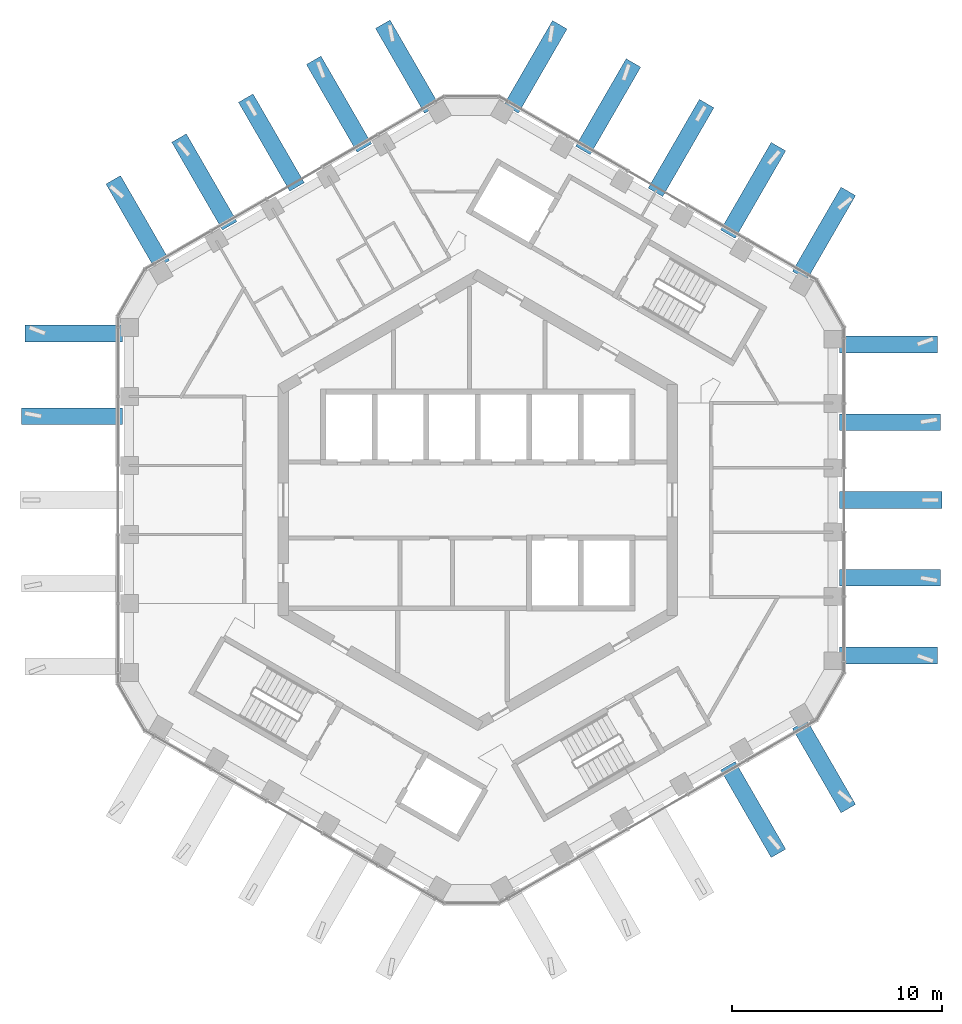
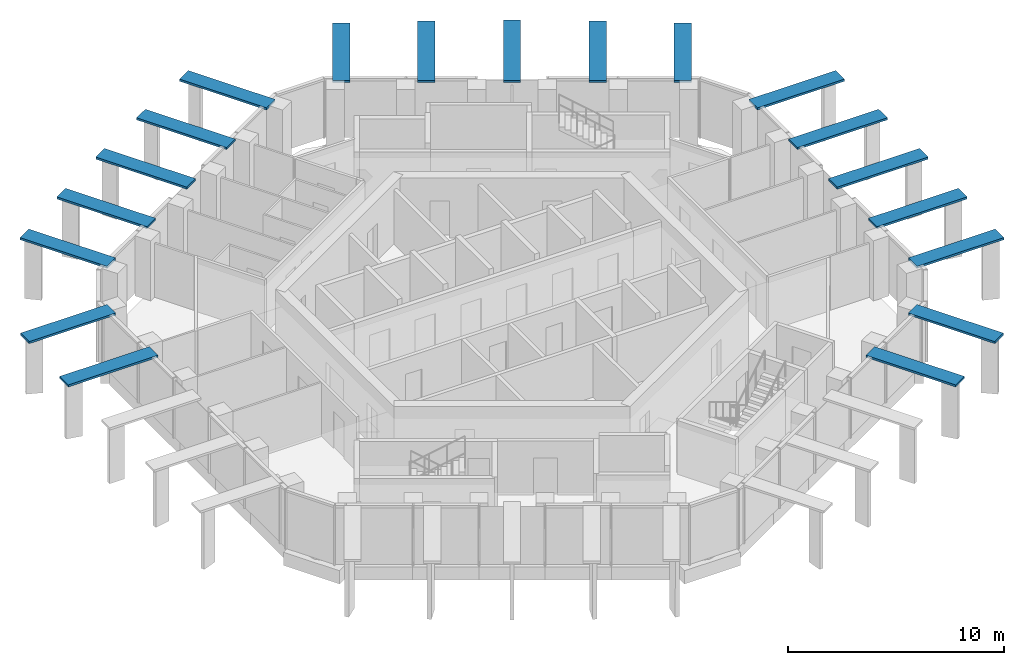
# One storey, part 14 of 19: 19 discrete accessories.
"""IFC4 building model written with IfcOpenShell, lengths in metres."""

from ifc_helpers import new_model, si_unit, direction, frame, origin, origin_2d, place, context, subcontext, project, spatial, rectangle, extrude, material, layer, layer_set, type_object, element, save


model = new_model("IFC4")

# Units and contexts
model_context = context("Model", 3, precision=1e-05, world=origin(), true_north=direction((0.0, 1.0)))
body_context = subcontext(model_context, "Body", "Model", "MODEL_VIEW")
ifc_project = project(units=[si_unit("LENGTHUNIT", "METRE"), si_unit("AREAUNIT", "SQUARE_METRE"), si_unit("VOLUMEUNIT", "CUBIC_METRE"), si_unit("PLANEANGLEUNIT", "RADIAN"), si_unit("MASSUNIT", "GRAM", prefix="KILO")], contexts=[model_context])

# Site, building, storey
site_placement = place(None, origin())
site = spatial("IfcSite", under=ifc_project, at=site_placement, CompositionType="ELEMENT")
building_placement = place(site_placement, origin())
building = spatial("IfcBuilding", under=site, at=building_placement, Name="Ayvan Gate Tower", CompositionType="ELEMENT")
storey_placement = place(building_placement, frame((0.0, 0.0, 235.89990234375)))
storey = spatial("IfcBuildingStorey", under=building, at=storey_placement, Name="L63", CompositionType="ELEMENT", Elevation=235.89990234375)

# Discrete accessories
ifc_material = material(Name="Stainless steel 316", Category="steel")
ifc_layer = layer(ifc_material, 0.1201171875)
ifc_layer_set = layer_set([ifc_layer], Name="Stainless steel 316")
discrete_accessory_type = type_object("IfcDiscreteAccessoryType", Name="Fin carrier bracket", PredefinedType="BRACKET", material=ifc_layer_set)
discrete_accessory_1_placement = place(storey_placement, frame((-19.295166015625, 3.979248046875, 3.280029296875), z_axis=(0.0, 0.0, 1.0), x_axis=(0.0, -1.0, 0.0)))
element("IfcDiscreteAccessory", 1, at=discrete_accessory_1_placement, inside=storey, type_object=discrete_accessory_type, Name="Fin carrier 176", PredefinedType="BRACKET", context=body_context, shape_type="SweptSolid", body=[
    extrude(rectangle(XDim=0.800048828125, YDim=4.80859375, at=origin_2d()), origin(), (0.0, 0.0, 1.0), 0.1201171875),
])
discrete_accessory_2_placement = place(storey_placement, frame((-19.20458984375, 7.92041015625, 3.280029296875), z_axis=(0.0, 0.0, 1.0), x_axis=(0.0, -1.0, 0.0)))
element("IfcDiscreteAccessory", 2, at=discrete_accessory_2_placement, inside=storey, type_object=discrete_accessory_type, Name="Fin carrier 184", PredefinedType="BRACKET", context=body_context, shape_type="SweptSolid", body=[
    extrude(rectangle(XDim=0.800048828125, YDim=4.627685546875, at=origin_2d()), origin(), (0.0, 0.0, 1.0), 0.1201171875),
])
discrete_accessory_3_placement = place(storey_placement, frame((-16.16748046875, 13.2041015625, 3.280029296875), z_axis=(0.0, 0.0, 1.0), x_axis=(-0.866025403784, -0.5, 0.0)))
element("IfcDiscreteAccessory", 3, at=discrete_accessory_3_placement, inside=storey, type_object=discrete_accessory_type, Name="Fin carrier 238", PredefinedType="BRACKET", context=body_context, shape_type="SweptSolid", body=[
    extrude(rectangle(XDim=0.800048828125, YDim=4.662841796875, at=origin_2d()), origin(), (0.0, 0.0, 1.0), 0.1201171875),
])
discrete_accessory_4_placement = place(storey_placement, frame((-12.99951171875, 15.12353515625, 3.280029296875), z_axis=(0.0, 0.0, 1.0), x_axis=(-0.866025403784, -0.5, 0.0)))
element("IfcDiscreteAccessory", 4, at=discrete_accessory_4_placement, inside=storey, type_object=discrete_accessory_type, Name="Fin carrier 300", PredefinedType="BRACKET", context=body_context, shape_type="SweptSolid", body=[
    extrude(rectangle(XDim=0.800048828125, YDim=4.819091796875, at=origin_2d()), origin(), (0.0, 0.0, 1.0), 0.1201171875),
])
discrete_accessory_5_placement = place(storey_placement, frame((-9.8125, 16.99560546875, 3.280029296875), z_axis=(0.0, 0.0, 1.0), x_axis=(-0.866025403784, -0.5, 0.0)))
element("IfcDiscreteAccessory", 5, at=discrete_accessory_5_placement, inside=storey, type_object=discrete_accessory_type, Name="Fin carrier 369", PredefinedType="BRACKET", context=body_context, shape_type="SweptSolid", body=[
    extrude(rectangle(XDim=0.800048828125, YDim=4.875, at=origin_2d()), origin(), (0.0, 0.0, 1.0), 0.1201171875),
])
discrete_accessory_6_placement = place(storey_placement, frame((-6.59765625, 18.819580078125, 3.280029296875), z_axis=(0.0, 0.0, 1.0), x_axis=(-0.866025403784, -0.5, 0.0)))
element("IfcDiscreteAccessory", 6, at=discrete_accessory_6_placement, inside=storey, type_object=discrete_accessory_type, Name="Fin carrier 431", PredefinedType="BRACKET", context=body_context, shape_type="SweptSolid", body=[
    extrude(rectangle(XDim=0.800048828125, YDim=4.819091796875, at=origin_2d()), origin(), (0.0, 0.0, 1.0), 0.1201171875),
])
discrete_accessory_7_placement = place(storey_placement, frame((-3.3515625, 20.603515625, 3.280029296875), z_axis=(0.0, 0.0, 1.0), x_axis=(-0.866025403784, -0.5, 0.0)))
element("IfcDiscreteAccessory", 7, at=discrete_accessory_7_placement, inside=storey, type_object=discrete_accessory_type, Name="Fin carrier 496", PredefinedType="BRACKET", context=body_context, shape_type="SweptSolid", body=[
    extrude(rectangle(XDim=0.800048828125, YDim=4.662841796875, at=origin_2d()), origin(), (0.0, 0.0, 1.0), 0.1201171875),
])
discrete_accessory_8_placement = place(storey_placement, frame((2.742919921875, 20.592041015625, 3.280029296875), z_axis=(0.0, 0.0, 1.0), x_axis=(-0.866025403784, 0.5, 0.0)))
element("IfcDiscreteAccessory", 8, at=discrete_accessory_8_placement, inside=storey, type_object=discrete_accessory_type, Name="Fin carrier 556", PredefinedType="BRACKET", context=body_context, shape_type="SweptSolid", body=[
    extrude(rectangle(XDim=0.800048828125, YDim=4.627685546875, at=origin_2d()), origin(), (0.0, 0.0, 1.0), 0.1201171875),
])
discrete_accessory_9_placement = place(storey_placement, frame((6.201171875, 18.69970703125, 3.280029296875), z_axis=(0.0, 0.0, 1.0), x_axis=(-0.866025403784, 0.5, 0.0)))
element("IfcDiscreteAccessory", 9, at=discrete_accessory_9_placement, inside=storey, type_object=discrete_accessory_type, Name="Fin carrier 617", PredefinedType="BRACKET", context=body_context, shape_type="SweptSolid", body=[
    extrude(rectangle(XDim=0.800048828125, YDim=4.80859375, at=origin_2d()), origin(), (0.0, 0.0, 1.0), 0.1201171875),
])
discrete_accessory_10_placement = place(storey_placement, frame((9.6640625, 16.73876953125, 3.280029296875), z_axis=(0.0, 0.0, 1.0), x_axis=(-0.866025403784, 0.5, 0.0)))
element("IfcDiscreteAccessory", 10, at=discrete_accessory_10_placement, inside=storey, type_object=discrete_accessory_type, Name="Fin carrier 681", PredefinedType="BRACKET", context=body_context, shape_type="SweptSolid", body=[
    extrude(rectangle(XDim=0.800048828125, YDim=4.875, at=origin_2d()), origin(), (0.0, 0.0, 1.0), 0.1201171875),
])
for number, where, z_axis, x_axis, name in (
    (11, (13.093994140625, -14.72021484375, 3.280029296875), (0.0, 0.0, 1.0), (0.866025403784, 0.5, 0.0), "Fin carrier 733"),
    (12, (13.09375, 14.720458984375, 3.280029296875), (0.0, 0.0, 1.0), (-0.866025403784, 0.5, 0.0), "Fin carrier 744"),
):
    element("IfcDiscreteAccessory", number, at=place(storey_placement, frame(where, z_axis=z_axis, x_axis=x_axis)), inside=storey, type_object=discrete_accessory_type, Name=name, PredefinedType="BRACKET", context=body_context, shape_type="SweptSolid", body=[
        extrude(rectangle(XDim=0.800048828125, YDim=4.80859375, at=origin_2d()), origin(), (0.0, 0.0, 1.0), 0.1201171875),
    ])
for number, where, z_axis, x_axis, name in (
    (13, (16.461669921875, -12.67138671875, 3.280029296875), (0.0, 0.0, 1.0), (0.866025403784, 0.5, 0.0), "Fin carrier 799"),
    (14, (16.461669921875, 12.67138671875, 3.280029296875), (0.0, 0.0, 1.0), (-0.866025403784, 0.5, 0.0), "Fin carrier 807"),
):
    element("IfcDiscreteAccessory", number, at=place(storey_placement, frame(where, z_axis=z_axis, x_axis=x_axis)), inside=storey, type_object=discrete_accessory_type, Name=name, PredefinedType="BRACKET", context=body_context, shape_type="SweptSolid", body=[
        extrude(rectangle(XDim=0.800048828125, YDim=4.627685546875, at=origin_2d()), origin(), (0.0, 0.0, 1.0), 0.1201171875),
    ])
discrete_accessory_11_placement = place(storey_placement, frame((19.518798828125, -7.399169921875, 3.280029296875), z_axis=(0.0, 0.0, 1.0), x_axis=(0.0, 1.0, 0.0)))
element("IfcDiscreteAccessory", 15, at=discrete_accessory_11_placement, inside=storey, type_object=discrete_accessory_type, Name="Fin carrier 836", PredefinedType="BRACKET", context=body_context, shape_type="SweptSolid", body=[
    extrude(rectangle(XDim=0.800048828125, YDim=4.662841796875, at=origin_2d()), origin(), (0.0, 0.0, 1.0), 0.1201171875),
])
discrete_accessory_12_placement = place(storey_placement, frame((19.59716796875, -3.696044921875, 3.280029296875), z_axis=(0.0, 0.0, 1.0), x_axis=(0.0, 1.0, 0.0)))
element("IfcDiscreteAccessory", 16, at=discrete_accessory_12_placement, inside=storey, type_object=discrete_accessory_type, Name="Fin carrier 847", PredefinedType="BRACKET", context=body_context, shape_type="SweptSolid", body=[
    extrude(rectangle(XDim=0.800048828125, YDim=4.819091796875, at=origin_2d()), origin(), (0.0, 0.0, 1.0), 0.1201171875),
])
discrete_accessory_13_placement = place(storey_placement, frame((19.625, 0.0, 3.280029296875), z_axis=(0.0, 0.0, 1.0), x_axis=(0.0, 1.0, 0.0)))
element("IfcDiscreteAccessory", 17, at=discrete_accessory_13_placement, inside=storey, type_object=discrete_accessory_type, Name="Fin carrier 860", PredefinedType="BRACKET", context=body_context, shape_type="SweptSolid", body=[
    extrude(rectangle(XDim=0.800048828125, YDim=4.875, at=origin_2d()), origin(), (0.0, 0.0, 1.0), 0.1201171875),
])
discrete_accessory_14_placement = place(storey_placement, frame((19.59716796875, 3.6962890625, 3.280029296875), z_axis=(0.0, 0.0, 1.0), x_axis=(0.0, 1.0, 0.0)))
element("IfcDiscreteAccessory", 18, at=discrete_accessory_14_placement, inside=storey, type_object=discrete_accessory_type, Name="Fin carrier 871", PredefinedType="BRACKET", context=body_context, shape_type="SweptSolid", body=[
    extrude(rectangle(XDim=0.800048828125, YDim=4.819091796875, at=origin_2d()), origin(), (0.0, 0.0, 1.0), 0.1201171875),
])
discrete_accessory_15_placement = place(storey_placement, frame((19.518798828125, 7.399169921875, 3.280029296875), z_axis=(0.0, 0.0, 1.0), x_axis=(0.0, 1.0, 0.0)))
element("IfcDiscreteAccessory", 19, at=discrete_accessory_15_placement, inside=storey, type_object=discrete_accessory_type, Name="Fin carrier 884", PredefinedType="BRACKET", context=body_context, shape_type="SweptSolid", body=[
    extrude(rectangle(XDim=0.800048828125, YDim=4.662841796875, at=origin_2d()), origin(), (0.0, 0.0, 1.0), 0.1201171875),
])

save(model, "model.ifc")
